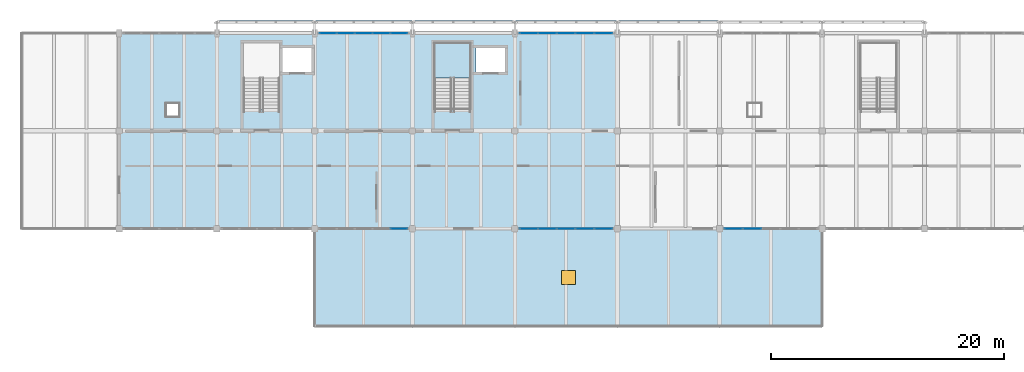
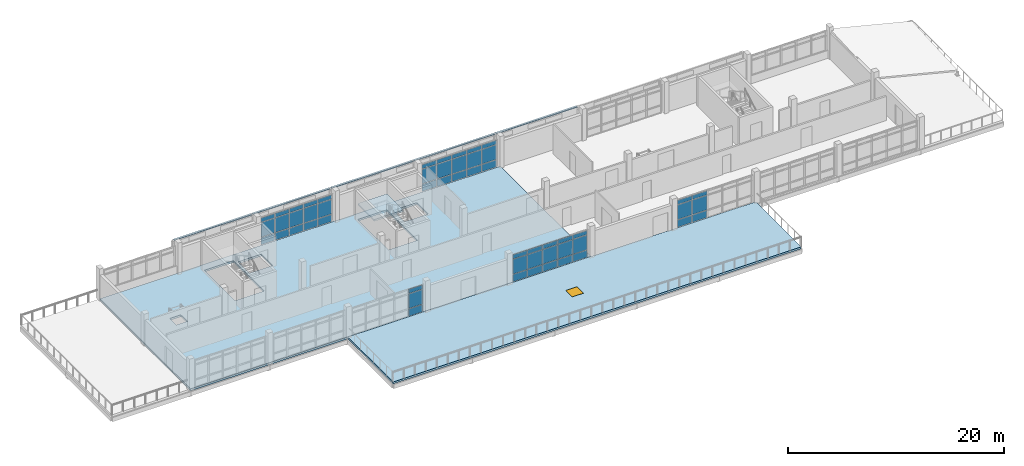
# One storey, part 21 of 30: 59 plates, 3 slabs, 1 window, 1 opening, 6 elements without a shape of their own.
"""IFC4 building model written with IfcOpenShell, lengths in metres."""

from ifc_helpers import new_model, si_unit, direction, frame, origin, origin_2d, place, context, subcontext, project, spatial, polyline, rectangle, outline, extrude, material, layer, layer_set, type_object, element, fill, aggregate, save


model = new_model("IFC4")

# Units and contexts
model_context = context("Model", 3, precision=1e-05, world=origin(), true_north=direction((0.0, 1.0)))
body_context = subcontext(model_context, "Body", "Model", "MODEL_VIEW")
ifc_project = project(units=[si_unit("LENGTHUNIT", "METRE"), si_unit("AREAUNIT", "SQUARE_METRE"), si_unit("VOLUMEUNIT", "CUBIC_METRE"), si_unit("PLANEANGLEUNIT", "RADIAN"), si_unit("MASSUNIT", "GRAM", prefix="KILO")], contexts=[model_context])

# Site, building, storey
site_placement = place(None, origin())
site = spatial("IfcSite", under=ifc_project, at=site_placement, CompositionType="ELEMENT")
building_placement = place(site_placement, origin())
building = spatial("IfcBuilding", under=site, at=building_placement, Name="Cinderway Yard Community Centre", CompositionType="ELEMENT")
storey_placement = place(building_placement, frame((0.0, 0.0, 16.5)))
storey = spatial("IfcBuildingStorey", under=building, at=storey_placement, Name="L04", CompositionType="ELEMENT", Elevation=16.5)

# Curtain wall, plates
ifc_material_1 = material(Name="Aluminium 6063-T6", Category="aluminium")
curtain_wall_type_1 = type_object("IfcCurtainWallType", Name="ENV-CW-TYPE-32", PredefinedType="USERDEFINED", material=ifc_material_1)
curtain_wall_1_placement = place(storey_placement, origin())
curtain_wall_1 = element("IfcCurtainWall", 1, at=curtain_wall_1_placement, inside=storey, type_object=curtain_wall_type_1, Name="V4 Street Curtain Wall ENV-CW-L04-ST-0179", ObjectType="GLAZED CURTAIN WALL", PredefinedType="USERDEFINED")
ifc_material_2 = material(Name="Laminated Low-E Glass", Category="glass")
ifc_layer_1 = layer(ifc_material_2, 0.028076171875, Name="Laminated Low-E Glass")
ifc_layer_set_1 = layer_set([ifc_layer_1], Name="Laminated Low-E Glass")
plate_type_1 = type_object("IfcPlateType", Name="ENV-CW-PAN-IGU28", PredefinedType="CURTAIN_PANEL", material=ifc_layer_set_1)
plate_1_placement = place(storey_placement, frame((67.958984375, 115.199951171875, 0.06005859375), z_axis=(0.0, 0.0, 1.0), x_axis=(1.0, 0.0, 0.0)))
plate_1 = element("IfcPlate", 2, at=plate_1_placement, type_object=plate_type_1, Name="CW-32 panel 1.1", PredefinedType="CURTAIN_PANEL", context=body_context, shape_type="SweptSolid", body=[
    extrude(rectangle(XDim=1.43798828125, YDim=0.028076171875, at=origin_2d()), origin(), (0.0, 0.0, 1.0), 0.81005859375),
])
plate_2_placement = place(storey_placement, frame((67.958984375, 115.199951171875, 0.93017578125), z_axis=(0.0, 0.0, 1.0), x_axis=(1.0, 0.0, 0.0)))
plate_2 = element("IfcPlate", 3, at=plate_2_placement, type_object=plate_type_1, Name="CW-32 panel 1.2", PredefinedType="CURTAIN_PANEL", context=body_context, shape_type="SweptSolid", body=[
    extrude(rectangle(XDim=1.43798828125, YDim=0.028076171875, at=origin_2d()), origin(), (0.0, 0.0, 1.0), 1.639892578125),
])
plate_3_placement = place(storey_placement, frame((67.958984375, 115.199951171875, 2.630126953125), z_axis=(0.0, 0.0, 1.0), x_axis=(1.0, 0.0, 0.0)))
plate_3 = element("IfcPlate", 4, at=plate_3_placement, type_object=plate_type_1, Name="CW-32 panel 1.3", PredefinedType="CURTAIN_PANEL", context=body_context, shape_type="SweptSolid", body=[
    extrude(rectangle(XDim=1.43798828125, YDim=0.028076171875, at=origin_2d()), origin(), (0.0, 0.0, 1.0), 0.4599609375),
])
plate_4_placement = place(storey_placement, frame((69.471923828125, 115.199951171875, 0.06005859375), z_axis=(0.0, 0.0, 1.0), x_axis=(1.0, 0.0, 0.0)))
plate_4 = element("IfcPlate", 5, at=plate_4_placement, type_object=plate_type_1, Name="CW-32 panel 2.1", PredefinedType="CURTAIN_PANEL", context=body_context, shape_type="SweptSolid", body=[
    extrude(rectangle(XDim=1.468017578125, YDim=0.028076171875, at=origin_2d()), origin(), (0.0, 0.0, 1.0), 0.81005859375),
])
plate_5_placement = place(storey_placement, frame((69.471923828125, 115.199951171875, 0.93017578125), z_axis=(0.0, 0.0, 1.0), x_axis=(1.0, 0.0, 0.0)))
plate_5 = element("IfcPlate", 6, at=plate_5_placement, type_object=plate_type_1, Name="CW-32 panel 2.2", PredefinedType="CURTAIN_PANEL", context=body_context, shape_type="SweptSolid", body=[
    extrude(rectangle(XDim=1.468017578125, YDim=0.028076171875, at=origin_2d()), origin(), (0.0, 0.0, 1.0), 1.639892578125),
])
plate_6_placement = place(storey_placement, frame((69.471923828125, 115.199951171875, 2.630126953125), z_axis=(0.0, 0.0, 1.0), x_axis=(1.0, 0.0, 0.0)))
plate_6 = element("IfcPlate", 7, at=plate_6_placement, type_object=plate_type_1, Name="CW-32 panel 2.3", PredefinedType="CURTAIN_PANEL", context=body_context, shape_type="SweptSolid", body=[
    extrude(rectangle(XDim=1.468017578125, YDim=0.028076171875, at=origin_2d()), origin(), (0.0, 0.0, 1.0), 0.4599609375),
])
plate_7_placement = place(storey_placement, frame((71.0, 115.199951171875, 0.06005859375), z_axis=(0.0, 0.0, 1.0), x_axis=(1.0, 0.0, 0.0)))
plate_7 = element("IfcPlate", 8, at=plate_7_placement, type_object=plate_type_1, Name="CW-32 panel 3.1", PredefinedType="CURTAIN_PANEL", context=body_context, shape_type="SweptSolid", body=[
    extrude(rectangle(XDim=1.468017578125, YDim=0.028076171875, at=origin_2d()), origin(), (0.0, 0.0, 1.0), 0.81005859375),
])
plate_8_placement = place(storey_placement, frame((71.0, 115.199951171875, 0.93017578125), z_axis=(0.0, 0.0, 1.0), x_axis=(1.0, 0.0, 0.0)))
plate_8 = element("IfcPlate", 9, at=plate_8_placement, type_object=plate_type_1, Name="CW-32 panel 3.2", PredefinedType="CURTAIN_PANEL", context=body_context, shape_type="SweptSolid", body=[
    extrude(rectangle(XDim=1.468017578125, YDim=0.028076171875, at=origin_2d()), origin(), (0.0, 0.0, 1.0), 1.639892578125),
])
plate_9_placement = place(storey_placement, frame((71.0, 115.199951171875, 2.630126953125), z_axis=(0.0, 0.0, 1.0), x_axis=(1.0, 0.0, 0.0)))
plate_9 = element("IfcPlate", 10, at=plate_9_placement, type_object=plate_type_1, Name="CW-32 panel 3.3", PredefinedType="CURTAIN_PANEL", context=body_context, shape_type="SweptSolid", body=[
    extrude(rectangle(XDim=1.468017578125, YDim=0.028076171875, at=origin_2d()), origin(), (0.0, 0.0, 1.0), 0.4599609375),
])
plate_10_placement = place(storey_placement, frame((72.528076171875, 115.199951171875, 0.06005859375), z_axis=(0.0, 0.0, 1.0), x_axis=(1.0, 0.0, 0.0)))
plate_10 = element("IfcPlate", 11, at=plate_10_placement, type_object=plate_type_1, Name="CW-32 panel 4.1", PredefinedType="CURTAIN_PANEL", context=body_context, shape_type="SweptSolid", body=[
    extrude(rectangle(XDim=1.468017578125, YDim=0.028076171875, at=origin_2d()), origin(), (0.0, 0.0, 1.0), 0.81005859375),
])
plate_11_placement = place(storey_placement, frame((72.528076171875, 115.199951171875, 0.93017578125), z_axis=(0.0, 0.0, 1.0), x_axis=(1.0, 0.0, 0.0)))
plate_11 = element("IfcPlate", 12, at=plate_11_placement, type_object=plate_type_1, Name="CW-32 panel 4.2", PredefinedType="CURTAIN_PANEL", context=body_context, shape_type="SweptSolid", body=[
    extrude(rectangle(XDim=1.468017578125, YDim=0.028076171875, at=origin_2d()), origin(), (0.0, 0.0, 1.0), 1.639892578125),
])
plate_12_placement = place(storey_placement, frame((72.528076171875, 115.199951171875, 2.630126953125), z_axis=(0.0, 0.0, 1.0), x_axis=(1.0, 0.0, 0.0)))
plate_12 = element("IfcPlate", 13, at=plate_12_placement, type_object=plate_type_1, Name="CW-32 panel 4.3", PredefinedType="CURTAIN_PANEL", context=body_context, shape_type="SweptSolid", body=[
    extrude(rectangle(XDim=1.468017578125, YDim=0.028076171875, at=origin_2d()), origin(), (0.0, 0.0, 1.0), 0.4599609375),
])
plate_13_placement = place(storey_placement, frame((74.041015625, 115.199951171875, 0.06005859375), z_axis=(0.0, 0.0, 1.0), x_axis=(1.0, 0.0, 0.0)))
plate_13 = element("IfcPlate", 14, at=plate_13_placement, type_object=plate_type_1, Name="CW-32 panel 5.1", PredefinedType="CURTAIN_PANEL", context=body_context, shape_type="SweptSolid", body=[
    extrude(rectangle(XDim=1.43798828125, YDim=0.028076171875, at=origin_2d()), origin(), (0.0, 0.0, 1.0), 0.81005859375),
])
plate_14_placement = place(storey_placement, frame((74.041015625, 115.199951171875, 0.93017578125), z_axis=(0.0, 0.0, 1.0), x_axis=(1.0, 0.0, 0.0)))
plate_14 = element("IfcPlate", 15, at=plate_14_placement, type_object=plate_type_1, Name="CW-32 panel 5.2", PredefinedType="CURTAIN_PANEL", context=body_context, shape_type="SweptSolid", body=[
    extrude(rectangle(XDim=1.43798828125, YDim=0.028076171875, at=origin_2d()), origin(), (0.0, 0.0, 1.0), 1.639892578125),
])
plate_15_placement = place(storey_placement, frame((74.041015625, 115.199951171875, 2.630126953125), z_axis=(0.0, 0.0, 1.0), x_axis=(1.0, 0.0, 0.0)))
plate_15 = element("IfcPlate", 16, at=plate_15_placement, type_object=plate_type_1, Name="CW-32 panel 5.3", PredefinedType="CURTAIN_PANEL", context=body_context, shape_type="SweptSolid", body=[
    extrude(rectangle(XDim=1.43798828125, YDim=0.028076171875, at=origin_2d()), origin(), (0.0, 0.0, 1.0), 0.4599609375),
])
aggregate(curtain_wall_1, [plate_1, plate_2, plate_3, plate_4, plate_5, plate_6, plate_7, plate_8, plate_9, plate_10, plate_11, plate_12, plate_13, plate_14, plate_15])

curtain_wall_2_placement = place(storey_placement, origin())
curtain_wall_2 = element("IfcCurtainWall", 17, at=curtain_wall_2_placement, inside=storey, type_object=curtain_wall_type_1, Name="V4 Courtyard Curtain Wall ENV-CW-L04-ST-0180", ObjectType="GLAZED CURTAIN WALL", PredefinedType="USERDEFINED")
plate_16_placement = place(storey_placement, frame((74.041015625, 98.39990234375, 0.06005859375), z_axis=(0.0, 0.0, 1.0), x_axis=(1.0, 0.0, 0.0)))
plate_16 = element("IfcPlate", 18, at=plate_16_placement, type_object=plate_type_1, Name="CW-32 panel 5.1", PredefinedType="CURTAIN_PANEL", context=body_context, shape_type="SweptSolid", body=[
    extrude(rectangle(XDim=1.43798828125, YDim=0.028076171875, at=origin_2d()), origin(), (0.0, 0.0, 1.0), 0.81005859375),
])
plate_17_placement = place(storey_placement, frame((74.041015625, 98.39990234375, 0.93017578125), z_axis=(0.0, 0.0, 1.0), x_axis=(1.0, 0.0, 0.0)))
plate_17 = element("IfcPlate", 19, at=plate_17_placement, type_object=plate_type_1, Name="CW-32 panel 5.2", PredefinedType="CURTAIN_PANEL", context=body_context, shape_type="SweptSolid", body=[
    extrude(rectangle(XDim=1.43798828125, YDim=0.028076171875, at=origin_2d()), origin(), (0.0, 0.0, 1.0), 1.639892578125),
])
plate_18_placement = place(storey_placement, frame((74.041015625, 98.39990234375, 2.630126953125), z_axis=(0.0, 0.0, 1.0), x_axis=(1.0, 0.0, 0.0)))
plate_18 = element("IfcPlate", 20, at=plate_18_placement, type_object=plate_type_1, Name="CW-32 panel 5.3", PredefinedType="CURTAIN_PANEL", context=body_context, shape_type="SweptSolid", body=[
    extrude(rectangle(XDim=1.43798828125, YDim=0.028076171875, at=origin_2d()), origin(), (0.0, 0.0, 1.0), 0.4599609375),
])
aggregate(curtain_wall_2, [plate_16, plate_17, plate_18])

curtain_wall_type_2 = type_object("IfcCurtainWallType", Name="ENV-CW-TYPE-33", PredefinedType="USERDEFINED", material=ifc_material_1)
curtain_wall_3_placement = place(storey_placement, origin())
curtain_wall_3 = element("IfcCurtainWall", 21, at=curtain_wall_3_placement, inside=storey, type_object=curtain_wall_type_2, Name="V4 Street Curtain Wall ENV-CW-L04-ST-0181", ObjectType="GLAZED CURTAIN WALL", PredefinedType="USERDEFINED")
plate_19_placement = place(storey_placement, frame((85.198974609375, 115.199951171875, 0.06005859375), z_axis=(0.0, 0.0, 1.0), x_axis=(1.0, 0.0, 0.0)))
plate_19 = element("IfcPlate", 22, at=plate_19_placement, type_object=plate_type_1, Name="CW-33 panel 1.1", PredefinedType="CURTAIN_PANEL", context=body_context, shape_type="SweptSolid", body=[
    extrude(rectangle(XDim=1.51806640625, YDim=0.028076171875, at=origin_2d()), origin(), (0.0, 0.0, 1.0), 0.81005859375),
])
plate_20_placement = place(storey_placement, frame((85.198974609375, 115.199951171875, 0.93017578125), z_axis=(0.0, 0.0, 1.0), x_axis=(1.0, 0.0, 0.0)))
plate_20 = element("IfcPlate", 23, at=plate_20_placement, type_object=plate_type_1, Name="CW-33 panel 1.2", PredefinedType="CURTAIN_PANEL", context=body_context, shape_type="SweptSolid", body=[
    extrude(rectangle(XDim=1.51806640625, YDim=0.028076171875, at=origin_2d()), origin(), (0.0, 0.0, 1.0), 1.639892578125),
])
plate_21_placement = place(storey_placement, frame((85.198974609375, 115.199951171875, 2.630126953125), z_axis=(0.0, 0.0, 1.0), x_axis=(1.0, 0.0, 0.0)))
plate_21 = element("IfcPlate", 24, at=plate_21_placement, type_object=plate_type_1, Name="CW-33 panel 1.3", PredefinedType="CURTAIN_PANEL", context=body_context, shape_type="SweptSolid", body=[
    extrude(rectangle(XDim=1.51806640625, YDim=0.028076171875, at=origin_2d()), origin(), (0.0, 0.0, 1.0), 0.4599609375),
])
plate_22_placement = place(storey_placement, frame((86.7919921875, 115.199951171875, 0.06005859375), z_axis=(0.0, 0.0, 1.0), x_axis=(1.0, 0.0, 0.0)))
plate_22 = element("IfcPlate", 25, at=plate_22_placement, type_object=plate_type_1, Name="CW-33 panel 2.1", PredefinedType="CURTAIN_PANEL", context=body_context, shape_type="SweptSolid", body=[
    extrude(rectangle(XDim=1.548095703125, YDim=0.028076171875, at=origin_2d()), origin(), (0.0, 0.0, 1.0), 0.81005859375),
])
plate_23_placement = place(storey_placement, frame((86.7919921875, 115.199951171875, 0.93017578125), z_axis=(0.0, 0.0, 1.0), x_axis=(1.0, 0.0, 0.0)))
plate_23 = element("IfcPlate", 26, at=plate_23_placement, type_object=plate_type_1, Name="CW-33 panel 2.2", PredefinedType="CURTAIN_PANEL", context=body_context, shape_type="SweptSolid", body=[
    extrude(rectangle(XDim=1.548095703125, YDim=0.028076171875, at=origin_2d()), origin(), (0.0, 0.0, 1.0), 1.639892578125),
])
plate_24_placement = place(storey_placement, frame((86.7919921875, 115.199951171875, 2.630126953125), z_axis=(0.0, 0.0, 1.0), x_axis=(1.0, 0.0, 0.0)))
plate_24 = element("IfcPlate", 27, at=plate_24_placement, type_object=plate_type_1, Name="CW-33 panel 2.3", PredefinedType="CURTAIN_PANEL", context=body_context, shape_type="SweptSolid", body=[
    extrude(rectangle(XDim=1.548095703125, YDim=0.028076171875, at=origin_2d()), origin(), (0.0, 0.0, 1.0), 0.4599609375),
])
plate_25_placement = place(storey_placement, frame((88.39990234375, 115.199951171875, 0.06005859375), z_axis=(0.0, 0.0, 1.0), x_axis=(1.0, 0.0, 0.0)))
plate_25 = element("IfcPlate", 28, at=plate_25_placement, type_object=plate_type_1, Name="CW-33 panel 3.1", PredefinedType="CURTAIN_PANEL", context=body_context, shape_type="SweptSolid", body=[
    extrude(rectangle(XDim=1.548095703125, YDim=0.028076171875, at=origin_2d()), origin(), (0.0, 0.0, 1.0), 0.81005859375),
])
plate_26_placement = place(storey_placement, frame((88.39990234375, 115.199951171875, 0.93017578125), z_axis=(0.0, 0.0, 1.0), x_axis=(1.0, 0.0, 0.0)))
plate_26 = element("IfcPlate", 29, at=plate_26_placement, type_object=plate_type_1, Name="CW-33 panel 3.2", PredefinedType="CURTAIN_PANEL", context=body_context, shape_type="SweptSolid", body=[
    extrude(rectangle(XDim=1.548095703125, YDim=0.028076171875, at=origin_2d()), origin(), (0.0, 0.0, 1.0), 1.639892578125),
])
plate_27_placement = place(storey_placement, frame((88.39990234375, 115.199951171875, 2.630126953125), z_axis=(0.0, 0.0, 1.0), x_axis=(1.0, 0.0, 0.0)))
plate_27 = element("IfcPlate", 30, at=plate_27_placement, type_object=plate_type_1, Name="CW-33 panel 3.3", PredefinedType="CURTAIN_PANEL", context=body_context, shape_type="SweptSolid", body=[
    extrude(rectangle(XDim=1.548095703125, YDim=0.028076171875, at=origin_2d()), origin(), (0.0, 0.0, 1.0), 0.4599609375),
])
plate_28_placement = place(storey_placement, frame((90.008056640625, 115.199951171875, 0.06005859375), z_axis=(0.0, 0.0, 1.0), x_axis=(1.0, 0.0, 0.0)))
plate_28 = element("IfcPlate", 31, at=plate_28_placement, type_object=plate_type_1, Name="CW-33 panel 4.1", PredefinedType="CURTAIN_PANEL", context=body_context, shape_type="SweptSolid", body=[
    extrude(rectangle(XDim=1.548095703125, YDim=0.028076171875, at=origin_2d()), origin(), (0.0, 0.0, 1.0), 0.81005859375),
])
plate_29_placement = place(storey_placement, frame((90.008056640625, 115.199951171875, 0.93017578125), z_axis=(0.0, 0.0, 1.0), x_axis=(1.0, 0.0, 0.0)))
plate_29 = element("IfcPlate", 32, at=plate_29_placement, type_object=plate_type_1, Name="CW-33 panel 4.2", PredefinedType="CURTAIN_PANEL", context=body_context, shape_type="SweptSolid", body=[
    extrude(rectangle(XDim=1.548095703125, YDim=0.028076171875, at=origin_2d()), origin(), (0.0, 0.0, 1.0), 1.639892578125),
])
plate_30_placement = place(storey_placement, frame((90.008056640625, 115.199951171875, 2.630126953125), z_axis=(0.0, 0.0, 1.0), x_axis=(1.0, 0.0, 0.0)))
plate_30 = element("IfcPlate", 33, at=plate_30_placement, type_object=plate_type_1, Name="CW-33 panel 4.3", PredefinedType="CURTAIN_PANEL", context=body_context, shape_type="SweptSolid", body=[
    extrude(rectangle(XDim=1.548095703125, YDim=0.028076171875, at=origin_2d()), origin(), (0.0, 0.0, 1.0), 0.4599609375),
])
plate_31_placement = place(storey_placement, frame((91.60107421875, 115.199951171875, 0.06005859375), z_axis=(0.0, 0.0, 1.0), x_axis=(1.0, 0.0, 0.0)))
plate_31 = element("IfcPlate", 34, at=plate_31_placement, type_object=plate_type_1, Name="CW-33 panel 5.1", PredefinedType="CURTAIN_PANEL", context=body_context, shape_type="SweptSolid", body=[
    extrude(rectangle(XDim=1.51806640625, YDim=0.028076171875, at=origin_2d()), origin(), (0.0, 0.0, 1.0), 0.81005859375),
])
plate_32_placement = place(storey_placement, frame((91.60107421875, 115.199951171875, 0.93017578125), z_axis=(0.0, 0.0, 1.0), x_axis=(1.0, 0.0, 0.0)))
plate_32 = element("IfcPlate", 35, at=plate_32_placement, type_object=plate_type_1, Name="CW-33 panel 5.2", PredefinedType="CURTAIN_PANEL", context=body_context, shape_type="SweptSolid", body=[
    extrude(rectangle(XDim=1.51806640625, YDim=0.028076171875, at=origin_2d()), origin(), (0.0, 0.0, 1.0), 1.639892578125),
])
plate_33_placement = place(storey_placement, frame((91.60107421875, 115.199951171875, 2.630126953125), z_axis=(0.0, 0.0, 1.0), x_axis=(1.0, 0.0, 0.0)))
plate_33 = element("IfcPlate", 36, at=plate_33_placement, type_object=plate_type_1, Name="CW-33 panel 5.3", PredefinedType="CURTAIN_PANEL", context=body_context, shape_type="SweptSolid", body=[
    extrude(rectangle(XDim=1.51806640625, YDim=0.028076171875, at=origin_2d()), origin(), (0.0, 0.0, 1.0), 0.4599609375),
])
aggregate(curtain_wall_3, [plate_19, plate_20, plate_21, plate_22, plate_23, plate_24, plate_25, plate_26, plate_27, plate_28, plate_29, plate_30, plate_31, plate_32, plate_33])

curtain_wall_4_placement = place(storey_placement, origin())
curtain_wall_4 = element("IfcCurtainWall", 37, at=curtain_wall_4_placement, inside=storey, type_object=curtain_wall_type_2, Name="V4 Courtyard Curtain Wall ENV-CW-L04-ST-0182", ObjectType="GLAZED CURTAIN WALL", PredefinedType="USERDEFINED")
plate_34_placement = place(storey_placement, frame((85.198974609375, 98.39990234375, 0.06005859375), z_axis=(0.0, 0.0, 1.0), x_axis=(1.0, 0.0, 0.0)))
plate_34 = element("IfcPlate", 38, at=plate_34_placement, type_object=plate_type_1, Name="CW-33 panel 1.1", PredefinedType="CURTAIN_PANEL", context=body_context, shape_type="SweptSolid", body=[
    extrude(rectangle(XDim=1.51806640625, YDim=0.028076171875, at=origin_2d()), origin(), (0.0, 0.0, 1.0), 0.81005859375),
])
plate_35_placement = place(storey_placement, frame((85.198974609375, 98.39990234375, 0.93017578125), z_axis=(0.0, 0.0, 1.0), x_axis=(1.0, 0.0, 0.0)))
plate_35 = element("IfcPlate", 39, at=plate_35_placement, type_object=plate_type_1, Name="CW-33 panel 1.2", PredefinedType="CURTAIN_PANEL", context=body_context, shape_type="SweptSolid", body=[
    extrude(rectangle(XDim=1.51806640625, YDim=0.028076171875, at=origin_2d()), origin(), (0.0, 0.0, 1.0), 1.639892578125),
])
plate_36_placement = place(storey_placement, frame((85.198974609375, 98.39990234375, 2.630126953125), z_axis=(0.0, 0.0, 1.0), x_axis=(1.0, 0.0, 0.0)))
plate_36 = element("IfcPlate", 40, at=plate_36_placement, type_object=plate_type_1, Name="CW-33 panel 1.3", PredefinedType="CURTAIN_PANEL", context=body_context, shape_type="SweptSolid", body=[
    extrude(rectangle(XDim=1.51806640625, YDim=0.028076171875, at=origin_2d()), origin(), (0.0, 0.0, 1.0), 0.4599609375),
])
plate_37_placement = place(storey_placement, frame((86.7919921875, 98.39990234375, 0.06005859375), z_axis=(0.0, 0.0, 1.0), x_axis=(1.0, 0.0, 0.0)))
plate_37 = element("IfcPlate", 41, at=plate_37_placement, type_object=plate_type_1, Name="CW-33 panel 2.1", PredefinedType="CURTAIN_PANEL", context=body_context, shape_type="SweptSolid", body=[
    extrude(rectangle(XDim=1.548095703125, YDim=0.028076171875, at=origin_2d()), origin(), (0.0, 0.0, 1.0), 0.81005859375),
])
plate_38_placement = place(storey_placement, frame((86.7919921875, 98.39990234375, 0.93017578125), z_axis=(0.0, 0.0, 1.0), x_axis=(1.0, 0.0, 0.0)))
plate_38 = element("IfcPlate", 42, at=plate_38_placement, type_object=plate_type_1, Name="CW-33 panel 2.2", PredefinedType="CURTAIN_PANEL", context=body_context, shape_type="SweptSolid", body=[
    extrude(rectangle(XDim=1.548095703125, YDim=0.028076171875, at=origin_2d()), origin(), (0.0, 0.0, 1.0), 1.639892578125),
])
plate_39_placement = place(storey_placement, frame((86.7919921875, 98.39990234375, 2.630126953125), z_axis=(0.0, 0.0, 1.0), x_axis=(1.0, 0.0, 0.0)))
plate_39 = element("IfcPlate", 43, at=plate_39_placement, type_object=plate_type_1, Name="CW-33 panel 2.3", PredefinedType="CURTAIN_PANEL", context=body_context, shape_type="SweptSolid", body=[
    extrude(rectangle(XDim=1.548095703125, YDim=0.028076171875, at=origin_2d()), origin(), (0.0, 0.0, 1.0), 0.4599609375),
])
plate_40_placement = place(storey_placement, frame((88.39990234375, 98.39990234375, 0.06005859375), z_axis=(0.0, 0.0, 1.0), x_axis=(1.0, 0.0, 0.0)))
plate_40 = element("IfcPlate", 44, at=plate_40_placement, type_object=plate_type_1, Name="CW-33 panel 3.1", PredefinedType="CURTAIN_PANEL", context=body_context, shape_type="SweptSolid", body=[
    extrude(rectangle(XDim=1.548095703125, YDim=0.028076171875, at=origin_2d()), origin(), (0.0, 0.0, 1.0), 0.81005859375),
])
plate_41_placement = place(storey_placement, frame((88.39990234375, 98.39990234375, 0.93017578125), z_axis=(0.0, 0.0, 1.0), x_axis=(1.0, 0.0, 0.0)))
plate_41 = element("IfcPlate", 45, at=plate_41_placement, type_object=plate_type_1, Name="CW-33 panel 3.2", PredefinedType="CURTAIN_PANEL", context=body_context, shape_type="SweptSolid", body=[
    extrude(rectangle(XDim=1.548095703125, YDim=0.028076171875, at=origin_2d()), origin(), (0.0, 0.0, 1.0), 1.639892578125),
])
plate_42_placement = place(storey_placement, frame((88.39990234375, 98.39990234375, 2.630126953125), z_axis=(0.0, 0.0, 1.0), x_axis=(1.0, 0.0, 0.0)))
plate_42 = element("IfcPlate", 46, at=plate_42_placement, type_object=plate_type_1, Name="CW-33 panel 3.3", PredefinedType="CURTAIN_PANEL", context=body_context, shape_type="SweptSolid", body=[
    extrude(rectangle(XDim=1.548095703125, YDim=0.028076171875, at=origin_2d()), origin(), (0.0, 0.0, 1.0), 0.4599609375),
])
plate_43_placement = place(storey_placement, frame((90.008056640625, 98.39990234375, 0.06005859375), z_axis=(0.0, 0.0, 1.0), x_axis=(1.0, 0.0, 0.0)))
plate_43 = element("IfcPlate", 47, at=plate_43_placement, type_object=plate_type_1, Name="CW-33 panel 4.1", PredefinedType="CURTAIN_PANEL", context=body_context, shape_type="SweptSolid", body=[
    extrude(rectangle(XDim=1.548095703125, YDim=0.028076171875, at=origin_2d()), origin(), (0.0, 0.0, 1.0), 0.81005859375),
])
plate_44_placement = place(storey_placement, frame((90.008056640625, 98.39990234375, 0.93017578125), z_axis=(0.0, 0.0, 1.0), x_axis=(1.0, 0.0, 0.0)))
plate_44 = element("IfcPlate", 48, at=plate_44_placement, type_object=plate_type_1, Name="CW-33 panel 4.2", PredefinedType="CURTAIN_PANEL", context=body_context, shape_type="SweptSolid", body=[
    extrude(rectangle(XDim=1.548095703125, YDim=0.028076171875, at=origin_2d()), origin(), (0.0, 0.0, 1.0), 1.639892578125),
])
plate_45_placement = place(storey_placement, frame((90.008056640625, 98.39990234375, 2.630126953125), z_axis=(0.0, 0.0, 1.0), x_axis=(1.0, 0.0, 0.0)))
plate_45 = element("IfcPlate", 49, at=plate_45_placement, type_object=plate_type_1, Name="CW-33 panel 4.3", PredefinedType="CURTAIN_PANEL", context=body_context, shape_type="SweptSolid", body=[
    extrude(rectangle(XDim=1.548095703125, YDim=0.028076171875, at=origin_2d()), origin(), (0.0, 0.0, 1.0), 0.4599609375),
])
plate_46_placement = place(storey_placement, frame((91.60107421875, 98.39990234375, 0.06005859375), z_axis=(0.0, 0.0, 1.0), x_axis=(1.0, 0.0, 0.0)))
plate_46 = element("IfcPlate", 50, at=plate_46_placement, type_object=plate_type_1, Name="CW-33 panel 5.1", PredefinedType="CURTAIN_PANEL", context=body_context, shape_type="SweptSolid", body=[
    extrude(rectangle(XDim=1.51806640625, YDim=0.028076171875, at=origin_2d()), origin(), (0.0, 0.0, 1.0), 0.81005859375),
])
plate_47_placement = place(storey_placement, frame((91.60107421875, 98.39990234375, 0.93017578125), z_axis=(0.0, 0.0, 1.0), x_axis=(1.0, 0.0, 0.0)))
plate_47 = element("IfcPlate", 51, at=plate_47_placement, type_object=plate_type_1, Name="CW-33 panel 5.2", PredefinedType="CURTAIN_PANEL", context=body_context, shape_type="SweptSolid", body=[
    extrude(rectangle(XDim=1.51806640625, YDim=0.028076171875, at=origin_2d()), origin(), (0.0, 0.0, 1.0), 1.639892578125),
])
plate_48_placement = place(storey_placement, frame((91.60107421875, 98.39990234375, 2.630126953125), z_axis=(0.0, 0.0, 1.0), x_axis=(1.0, 0.0, 0.0)))
plate_48 = element("IfcPlate", 52, at=plate_48_placement, type_object=plate_type_1, Name="CW-33 panel 5.3", PredefinedType="CURTAIN_PANEL", context=body_context, shape_type="SweptSolid", body=[
    extrude(rectangle(XDim=1.51806640625, YDim=0.028076171875, at=origin_2d()), origin(), (0.0, 0.0, 1.0), 0.4599609375),
])
aggregate(curtain_wall_4, [plate_34, plate_35, plate_36, plate_37, plate_38, plate_39, plate_40, plate_41, plate_42, plate_43, plate_44, plate_45, plate_46, plate_47, plate_48])

curtain_wall_5_placement = place(storey_placement, origin())
curtain_wall_5 = element("IfcCurtainWall", 53, at=curtain_wall_5_placement, inside=storey, type_object=curtain_wall_type_2, Name="V4 Courtyard Curtain Wall ENV-CW-L04-ST-0184", ObjectType="GLAZED CURTAIN WALL", PredefinedType="USERDEFINED")
plate_49_placement = place(storey_placement, frame((102.799072265625, 98.39990234375, 0.06005859375), z_axis=(0.0, 0.0, 1.0), x_axis=(1.0, 0.0, 0.0)))
plate_49 = element("IfcPlate", 54, at=plate_49_placement, type_object=plate_type_1, Name="CW-33 panel 1.1", PredefinedType="CURTAIN_PANEL", context=body_context, shape_type="SweptSolid", body=[
    extrude(rectangle(XDim=1.51806640625, YDim=0.028076171875, at=origin_2d()), origin(), (0.0, 0.0, 1.0), 0.81005859375),
])
plate_50_placement = place(storey_placement, frame((102.799072265625, 98.39990234375, 0.93017578125), z_axis=(0.0, 0.0, 1.0), x_axis=(1.0, 0.0, 0.0)))
plate_50 = element("IfcPlate", 55, at=plate_50_placement, type_object=plate_type_1, Name="CW-33 panel 1.2", PredefinedType="CURTAIN_PANEL", context=body_context, shape_type="SweptSolid", body=[
    extrude(rectangle(XDim=1.51806640625, YDim=0.028076171875, at=origin_2d()), origin(), (0.0, 0.0, 1.0), 1.639892578125),
])
plate_51_placement = place(storey_placement, frame((102.799072265625, 98.39990234375, 2.630126953125), z_axis=(0.0, 0.0, 1.0), x_axis=(1.0, 0.0, 0.0)))
plate_51 = element("IfcPlate", 56, at=plate_51_placement, type_object=plate_type_1, Name="CW-33 panel 1.3", PredefinedType="CURTAIN_PANEL", context=body_context, shape_type="SweptSolid", body=[
    extrude(rectangle(XDim=1.51806640625, YDim=0.028076171875, at=origin_2d()), origin(), (0.0, 0.0, 1.0), 0.4599609375),
])
plate_52_placement = place(storey_placement, frame((104.39208984375, 98.39990234375, 0.06005859375), z_axis=(0.0, 0.0, 1.0), x_axis=(1.0, 0.0, 0.0)))
plate_52 = element("IfcPlate", 57, at=plate_52_placement, type_object=plate_type_1, Name="CW-33 panel 2.1", PredefinedType="CURTAIN_PANEL", context=body_context, shape_type="SweptSolid", body=[
    extrude(rectangle(XDim=1.548095703125, YDim=0.028076171875, at=origin_2d()), origin(), (0.0, 0.0, 1.0), 0.81005859375),
])
plate_53_placement = place(storey_placement, frame((104.39208984375, 98.39990234375, 0.93017578125), z_axis=(0.0, 0.0, 1.0), x_axis=(1.0, 0.0, 0.0)))
plate_53 = element("IfcPlate", 58, at=plate_53_placement, type_object=plate_type_1, Name="CW-33 panel 2.2", PredefinedType="CURTAIN_PANEL", context=body_context, shape_type="SweptSolid", body=[
    extrude(rectangle(XDim=1.548095703125, YDim=0.028076171875, at=origin_2d()), origin(), (0.0, 0.0, 1.0), 1.639892578125),
])
plate_54_placement = place(storey_placement, frame((104.39208984375, 98.39990234375, 2.630126953125), z_axis=(0.0, 0.0, 1.0), x_axis=(1.0, 0.0, 0.0)))
plate_54 = element("IfcPlate", 59, at=plate_54_placement, type_object=plate_type_1, Name="CW-33 panel 2.3", PredefinedType="CURTAIN_PANEL", context=body_context, shape_type="SweptSolid", body=[
    extrude(rectangle(XDim=1.548095703125, YDim=0.028076171875, at=origin_2d()), origin(), (0.0, 0.0, 1.0), 0.4599609375),
])
aggregate(curtain_wall_5, [plate_49, plate_50, plate_51, plate_52, plate_53, plate_54])

# Plates
ifc_layer_2 = layer(ifc_material_1, 0.01611328125, Name="Aluminium 6063-T6")
ifc_layer_set_2 = layer_set([ifc_layer_2], Name="Aluminium 6063-T6")
plate_type_2 = type_object("IfcPlateType", Name="ENV-PLT-FASCIA16", PredefinedType="USERDEFINED", material=ifc_layer_set_2)
for number, where, z_axis, x_axis, name in (
    (60, (62.60009765625, 116.14990234375, 3.112060546875), (0.0, 0.0, 1.0), (1.0, 0.0, 0.0), "Screen coping fascia 0033"),
    (61, (71.0, 116.14990234375, 3.112060546875), (0.0, 0.0, 1.0), (1.0, 0.0, 0.0), "Screen coping fascia 0034"),
):
    element("IfcPlate", number, at=place(storey_placement, frame(where, z_axis=z_axis, x_axis=x_axis)), inside=storey, type_object=plate_type_2, Name=name, ObjectType="FASCIA PLATE", PredefinedType="USERDEFINED", context=body_context, shape_type="SweptSolid", body=[
        extrude(rectangle(XDim=8.300048828125, YDim=0.260009765625, at=origin_2d()), origin(), (0.0, 0.0, 1.0), 0.01611328125),
    ])
for number, where, z_axis, x_axis, name in (
    (62, (79.60009765625, 116.14990234375, 3.112060546875), (0.0, 0.0, 1.0), (1.0, 0.0, 0.0), "Screen coping fascia 0035"),
    (63, (88.39990234375, 116.14990234375, 3.112060546875), (0.0, 0.0, 1.0), (1.0, 0.0, 0.0), "Screen coping fascia 0036"),
    (64, (97.199951171875, 116.14990234375, 3.112060546875), (0.0, 0.0, 1.0), (1.0, 0.0, 0.0), "Screen coping fascia 0037"),
):
    element("IfcPlate", number, at=place(storey_placement, frame(where, z_axis=z_axis, x_axis=x_axis)), inside=storey, type_object=plate_type_2, Name=name, ObjectType="FASCIA PLATE", PredefinedType="USERDEFINED", context=body_context, shape_type="SweptSolid", body=[
        extrude(rectangle(XDim=8.699951171875, YDim=0.260009765625, at=origin_2d()), origin(), (0.0, 0.0, 1.0), 0.01611328125),
    ])

# Stair, slab
ifc_material_3 = material(Name="Concrete C40/50", Category="concrete")
stair_type = type_object("IfcStairType", Name="INT-STR-360A", PredefinedType="HALF_TURN_STAIR", material=ifc_material_3)
stair_placement = place(storey_placement, origin())
stair = element("IfcStair", 65, at=stair_placement, inside=storey, type_object=stair_type, Name="L04 Core C2A Exit Stair ST-02", PredefinedType="HALF_TURN_STAIR")
ifc_layer_3 = layer(ifc_material_3, 0.199951171875, Name="Concrete C40/50")
ifc_layer_set_3 = layer_set([ifc_layer_3], Name="Concrete C40/50")
slab_type_1 = type_object("IfcSlabType", Name="INT-SLB-LND200", PredefinedType="LANDING", material=ifc_layer_set_3)
slab_1_placement = place(storey_placement, frame((0.0, 0.0, 1.60009765625)))
slab_1 = element("IfcSlab", 66, at=slab_1_placement, type_object=slab_type_1, Name="ST-02 landing 1", PredefinedType="LANDING", context=body_context, shape_type="SweptSolid", body=[
    extrude(outline(polyline([(80.199951171875, 111.330078125), (80.199951171875, 114.35009765625), (77.080078125, 114.35009765625), (77.080078125, 111.330078125), (80.199951171875, 111.330078125)])), origin(), (0.0, 0.0, 1.0), 0.199951171875),
])
aggregate(stair, [slab_1])

# Slab
ifc_material_4 = material(Name="Concrete C35/45", Category="concrete")
ifc_layer_4 = layer(ifc_material_4, 0.219970703125, Name="Concrete C35/45")
ifc_layer_set_4 = layer_set([ifc_layer_4], Name="Concrete C35/45")
slab_type_2 = type_object("IfcSlabType", Name="STR-SLAB-FLR-220", PredefinedType="FLOOR", material=ifc_layer_set_4)
slab_2_placement = place(storey_placement, frame((0.0, 0.0, -0.219970703125)))
element("IfcSlab", 67, at=slab_2_placement, inside=storey, type_object=slab_type_2, Name="V4 West Digital Media Slab L04 STR-SLAB-L04-040", PredefinedType="FLOOR", context=body_context, shape_type="SweptSolid", body=[
    extrude(outline(polyline([(50.0, 98.39990234375), (92.800048828125, 98.39990234375), (92.800048828125, 115.199951171875), (50.0, 115.199951171875), (50.0, 98.39990234375)]), holes=[polyline([(63.800048828125, 108.669921875), (63.800048828125, 114.35009765625), (60.679931640625, 114.35009765625), (60.679931640625, 108.669921875), (63.800048828125, 108.669921875)]), polyline([(64.050048828125, 111.85009765625), (66.550048828125, 111.85009765625), (66.550048828125, 113.949951171875), (64.050048828125, 113.949951171875), (64.050048828125, 111.85009765625)]), polyline([(80.199951171875, 108.669921875), (80.199951171875, 114.35009765625), (77.080078125, 114.35009765625), (77.080078125, 108.669921875), (80.199951171875, 108.669921875)]), polyline([(80.64990234375, 111.85009765625), (83.14990234375, 111.85009765625), (83.14990234375, 113.949951171875), (80.64990234375, 113.949951171875), (80.64990234375, 111.85009765625)]), polyline([(54.0, 108.0), (55.199951171875, 108.0), (55.199951171875, 109.199951171875), (54.0, 109.199951171875), (54.0, 108.0)])]), origin(), (0.0, 0.0, 1.0), 0.219970703125),
])

# Slab, opening, window
ifc_layer_5 = layer(ifc_material_3, 0.219970703125, Name="Concrete C40/50")
ifc_layer_set_5 = layer_set([ifc_layer_5], Name="Concrete C40/50")
slab_type_3 = type_object("IfcSlabType", Name="STR-SLAB-TER-220", PredefinedType="FLOOR", material=ifc_layer_set_5)
slab_3_placement = place(storey_placement, frame((0.0, 0.0, -0.219970703125)))
slab_3 = element("IfcSlab", 68, at=slab_3_placement, inside=storey, type_object=slab_type_3, Name="V4 South Courtyard Terrace Slab L04 STR-SLAB-L04-044", PredefinedType="FLOOR", context=body_context, shape_type="SweptSolid", body=[
    extrude(outline(polyline([(66.800048828125, 90.0), (110.39990234375, 90.0), (110.39990234375, 98.39990234375), (66.800048828125, 98.39990234375), (66.800048828125, 90.0)])), origin(), (0.0, 0.0, 1.0), 0.219970703125),
])
opening_placement = place(slab_3_placement, frame((88.60009765625, 94.199951171875, 0.0)))
opening = element("IfcOpeningElement", 69, at=opening_placement, cuts=slab_3, Name="Opening SK-01", PredefinedType="OPENING", context=body_context, shape_type="SweptSolid", body=[
    extrude(rectangle(XDim=1.199951171875, YDim=1.199951171875, at=origin_2d()), origin(), (0.0, 0.0, 1.0), 0.219970703125),
])
window_type = type_object("IfcWindowType", Name="ENV-SKY-S01", PartitioningType="SINGLE_PANEL", PredefinedType="SKYLIGHT", material=ifc_material_2)
window_placement = place(opening_placement, frame((0.0, 0.0, 0.169921875)))
window = element("IfcWindow", 70, at=window_placement, inside=storey, type_object=window_type, Name="Terrace daylight skylight 05", OverallHeight=1.199951171875, OverallWidth=1.199951171875, PartitioningType="SINGLE_PANEL", PredefinedType="SKYLIGHT", context=body_context, shape_type="SweptSolid", body=[
    extrude(rectangle(XDim=1.199951171875, YDim=1.199951171875, at=origin_2d()), origin(), (0.0, 0.0, 1.0), 0.050048828125),
])
fill(opening, window)

save(model, "model.ifc")
